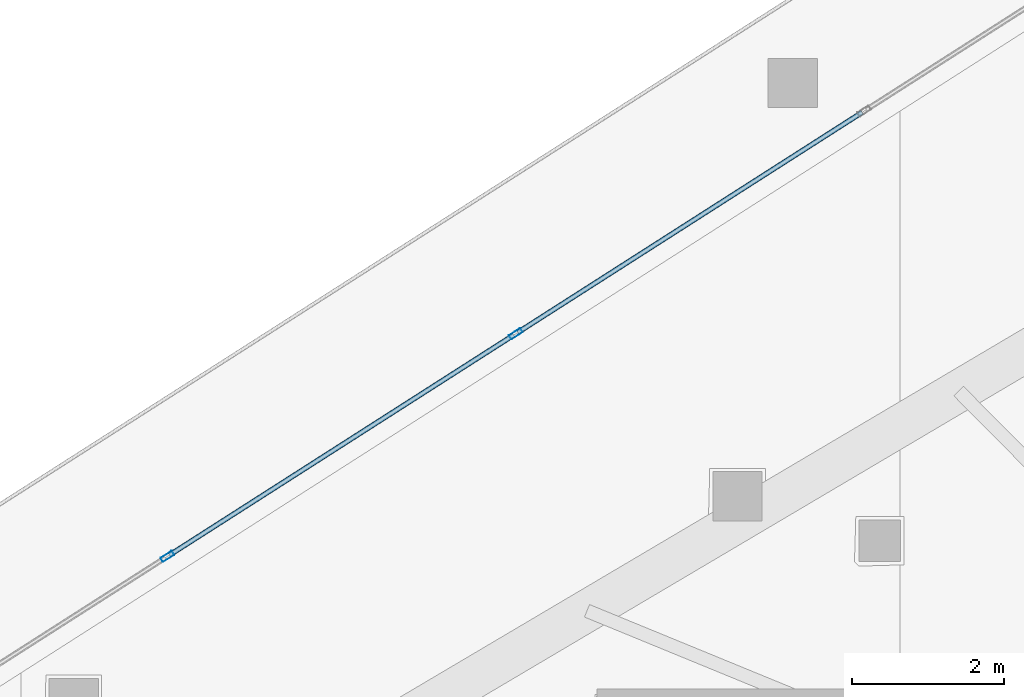
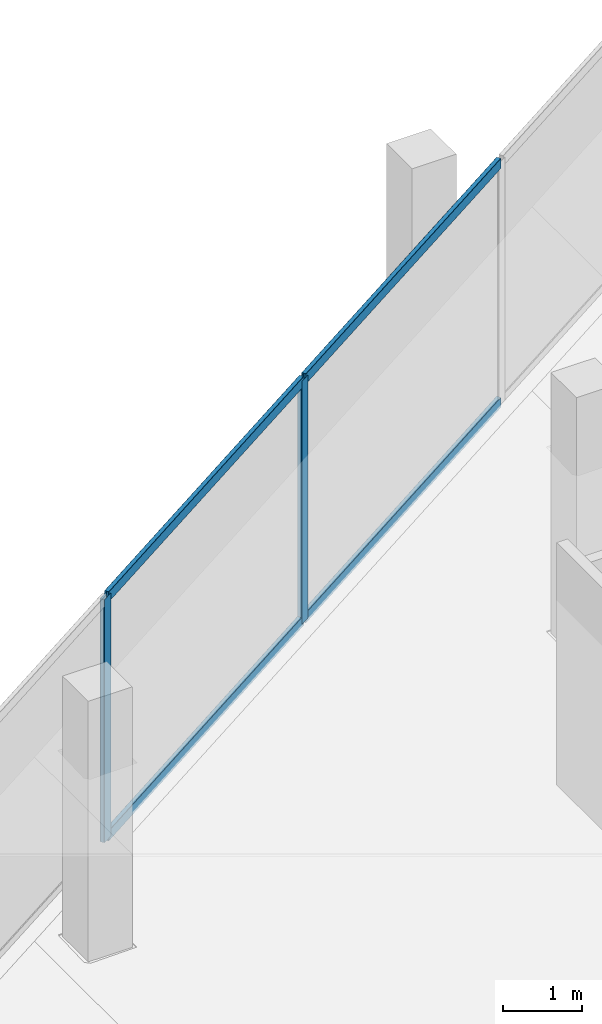
# One storey, part 15 of 38: 6 members, 1 element without a shape of its own.
"""IFC4 building model written with IfcOpenShell, lengths in metres."""

from ifc_helpers import new_model, si_unit, direction, frame, origin, origin_2d, place, context, subcontext, project, spatial, hollow_rectangle, extrude, material, layer, layer_set, material_profile, profile_set, type_object, element, aggregate, save


model = new_model("IFC4")

# Units and contexts
model_context = context("Model", 3, precision=1e-05, world=origin(), true_north=direction((0.0, 1.0)))
body_context = subcontext(model_context, "Body", "Model", "MODEL_VIEW")
ifc_project = project(units=[si_unit("LENGTHUNIT", "METRE"), si_unit("AREAUNIT", "SQUARE_METRE"), si_unit("VOLUMEUNIT", "CUBIC_METRE"), si_unit("PLANEANGLEUNIT", "RADIAN"), si_unit("MASSUNIT", "GRAM", prefix="KILO")], contexts=[model_context])

# Site, building, storey
site_placement = place(None, origin())
site = spatial("IfcSite", under=ifc_project, at=site_placement, CompositionType="ELEMENT")
building_placement = place(site_placement, origin())
building = spatial("IfcBuilding", under=site, at=building_placement, Name="Qorvath Tower", CompositionType="ELEMENT")
storey_placement = place(building_placement, frame((0.0, 0.0, 134.10009765625)))
storey = spatial("IfcBuildingStorey", under=building, at=storey_placement, Name="L30", CompositionType="ELEMENT", Elevation=134.10009765625)

# Curtain wall, members
ifc_material_1 = material(Name="Anodised aluminium and triple low-E glass", Category="aluminium")
ifc_layer = layer(ifc_material_1, 0.179931640625)
ifc_layer_set = layer_set([ifc_layer], Name="CW-SYS-3")
curtain_wall_type = type_object("IfcCurtainWallType", Name="CW-SYS-3", PredefinedType="NOTDEFINED", material=ifc_layer_set)
curtain_wall_placement = place(storey_placement, origin())
curtain_wall = element("IfcCurtainWall", 1, at=curtain_wall_placement, inside=storey, type_object=curtain_wall_type, Name="Curtain Wall CW-3 CW-T-L30-16.1", PredefinedType="NOTDEFINED")
ifc_material_2 = material(Name="Anodised aluminium 6063-T6", Category="aluminium")
ifc_material_profile_1 = material_profile(ifc_material_2, hollow_rectangle(XDim=0.06494140625, YDim=0.179931640625, WallThickness=0.00341796875, InnerFilletRadius=0.00341796875, OuterFilletRadius=0.007080078125, at=origin_2d()), Name="CWM 180x65")
ifc_profile_set_1 = profile_set([ifc_material_profile_1], Name="Anodised aluminium 6063-T6")
member_type_1 = type_object("IfcMemberType", Name="CWM-180", PredefinedType="MULLION", material=ifc_profile_set_1)
member_1_placement = place(storey_placement, frame((-38.90625, 15.523193359375, 0.0), z_axis=(0.0, 0.0, 1.0), x_axis=(0.538534399095, -0.842603525385, 0.0)))
member_1 = element("IfcMember", 2, at=member_1_placement, type_object=member_type_1, Name="CW-3 mullion 6", PredefinedType="MULLION", context=body_context, shape_type="SweptSolid", body=[
    extrude(hollow_rectangle(XDim=0.06494140625, YDim=0.179931640625, WallThickness=0.00341796875, InnerFilletRadius=0.00341796875, OuterFilletRadius=0.007080078125, at=origin_2d()), origin(), (0.0, 0.0, 1.0), 3.77978515625),
])
member_2_placement = place(storey_placement, frame((-43.501220703125, 12.58642578125, 0.0), z_axis=(0.0, 0.0, 1.0), x_axis=(0.538534399095, -0.842603525385, 0.0)))
member_2 = element("IfcMember", 3, at=member_2_placement, type_object=member_type_1, Name="CW-3 mullion 7", PredefinedType="MULLION", context=body_context, shape_type="SweptSolid", body=[
    extrude(hollow_rectangle(XDim=0.06494140625, YDim=0.179931640625, WallThickness=0.00341796875, InnerFilletRadius=0.00341796875, OuterFilletRadius=0.007080078125, at=origin_2d()), origin(), (0.0, 0.0, 1.0), 3.77978515625),
])
ifc_material_3 = material(Name="Anodised aluminium 6063-T6", Category="aluminium")
ifc_material_profile_2 = material_profile(ifc_material_3, hollow_rectangle(XDim=0.06494140625, YDim=0.159912109375, WallThickness=0.00341796875, InnerFilletRadius=0.00341796875, OuterFilletRadius=0.007080078125, at=origin_2d()), Name="CWT 160x65")
ifc_profile_set_2 = profile_set([ifc_material_profile_2], Name="Anodised aluminium 6063-T6")
member_type_2 = type_object("IfcMemberType", Name="CWT-160", PredefinedType="USERDEFINED", material=ifc_profile_set_2)
member_3_placement = place(storey_placement, frame((-34.338623046875, 18.442626953125, 0.032470703125), z_axis=(-0.842602030071, -0.538536738691, 0.0), x_axis=(0.538536738691, -0.842602030071, 0.0)))
member_3 = element("IfcMember", 4, at=member_3_placement, type_object=member_type_2, Name="CW-3 transom 5.1", ObjectType="TRANSOM", PredefinedType="USERDEFINED", context=body_context, shape_type="SweptSolid", body=[
    extrude(hollow_rectangle(XDim=0.06494140625, YDim=0.159912109375, WallThickness=0.00341796875, InnerFilletRadius=0.00341796875, OuterFilletRadius=0.007080078125, at=origin_2d()), origin(), (0.0, 0.0, 1.0), 5.388427734375),
])
member_4_placement = place(storey_placement, frame((-34.338623046875, 18.442626953125, 3.747314453125), z_axis=(-0.842602030071, -0.538536738691, 0.0), x_axis=(0.538536738691, -0.842602030071, 0.0)))
member_4 = element("IfcMember", 5, at=member_4_placement, type_object=member_type_2, Name="CW-3 transom 5.2", ObjectType="TRANSOM", PredefinedType="USERDEFINED", context=body_context, shape_type="SweptSolid", body=[
    extrude(hollow_rectangle(XDim=0.06494140625, YDim=0.159912109375, WallThickness=0.00341796875, InnerFilletRadius=0.00341796875, OuterFilletRadius=0.007080078125, at=origin_2d()), origin(), (0.0, 0.0, 1.0), 5.388427734375),
])
member_5_placement = place(storey_placement, frame((-38.93359375, 15.505859375, 0.032470703125), z_axis=(-0.842602030071, -0.538536738691, 0.0), x_axis=(0.538536738691, -0.842602030071, 0.0)))
member_5 = element("IfcMember", 6, at=member_5_placement, type_object=member_type_2, Name="CW-3 transom 6.1", ObjectType="TRANSOM", PredefinedType="USERDEFINED", context=body_context, shape_type="SweptSolid", body=[
    extrude(hollow_rectangle(XDim=0.06494140625, YDim=0.159912109375, WallThickness=0.00341796875, InnerFilletRadius=0.00341796875, OuterFilletRadius=0.007080078125, at=origin_2d()), origin(), (0.0, 0.0, 1.0), 5.388427734375),
])
member_6_placement = place(storey_placement, frame((-38.93359375, 15.505859375, 3.747314453125), z_axis=(-0.842602030071, -0.538536738691, 0.0), x_axis=(0.538536738691, -0.842602030071, 0.0)))
member_6 = element("IfcMember", 7, at=member_6_placement, type_object=member_type_2, Name="CW-3 transom 6.2", ObjectType="TRANSOM", PredefinedType="USERDEFINED", context=body_context, shape_type="SweptSolid", body=[
    extrude(hollow_rectangle(XDim=0.06494140625, YDim=0.159912109375, WallThickness=0.00341796875, InnerFilletRadius=0.00341796875, OuterFilletRadius=0.007080078125, at=origin_2d()), origin(), (0.0, 0.0, 1.0), 5.388427734375),
])
aggregate(curtain_wall, [member_1, member_2, member_3, member_4, member_5, member_6])

save(model, "model.ifc")
